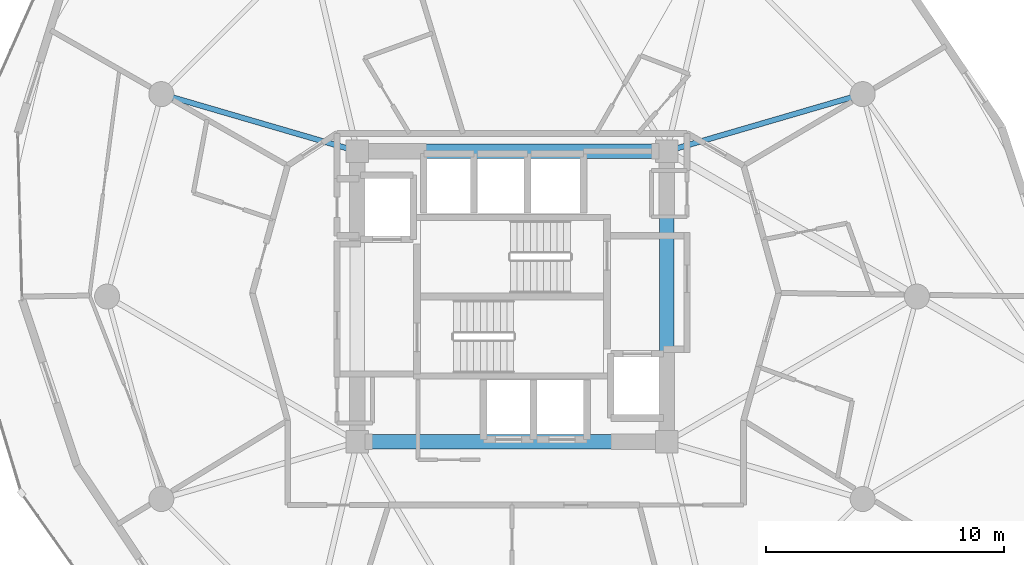
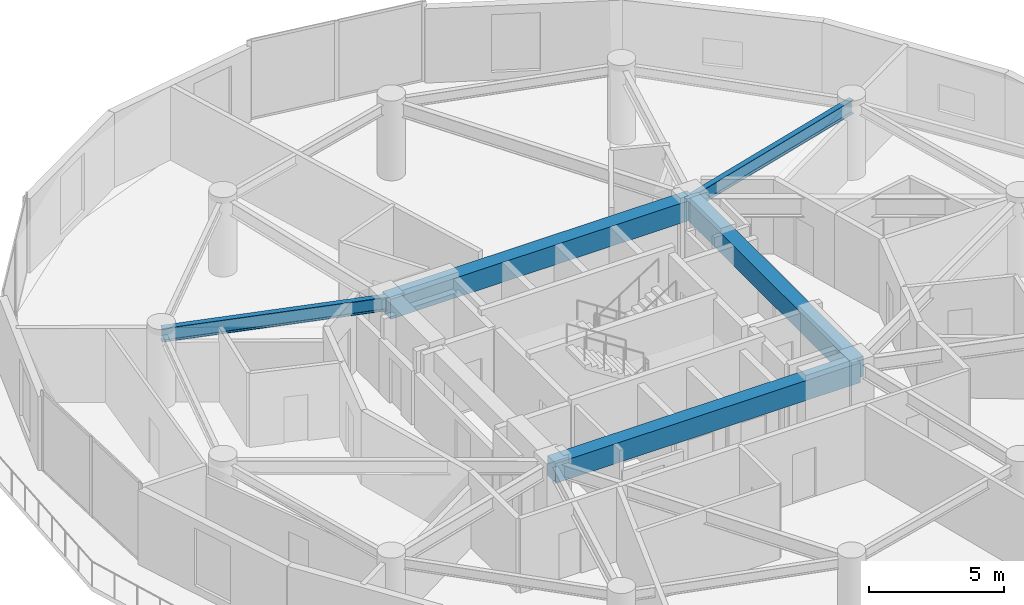
# One storey, part 7 of 20: 5 beams.
"""IFC4 building model written with IfcOpenShell, lengths in metres."""

from ifc_helpers import new_model, si_unit, direction, frame, origin, origin_2d, place, context, subcontext, project, spatial, rectangle, i_section, extrude, material, material_profile, profile_set, type_object, element, save


model = new_model("IFC4")

# Units and contexts
model_context = context("Model", 3, precision=1e-05, world=origin(), true_north=direction((0.0, 1.0)))
body_context = subcontext(model_context, "Body", "Model", "MODEL_VIEW")
ifc_project = project(units=[si_unit("LENGTHUNIT", "METRE"), si_unit("AREAUNIT", "SQUARE_METRE"), si_unit("VOLUMEUNIT", "CUBIC_METRE"), si_unit("PLANEANGLEUNIT", "RADIAN"), si_unit("MASSUNIT", "GRAM", prefix="KILO")], contexts=[model_context])

# Site, building, storey
site_placement = place(None, origin())
site = spatial("IfcSite", under=ifc_project, at=site_placement, CompositionType="ELEMENT")
building_placement = place(site_placement, origin())
building = spatial("IfcBuilding", under=site, at=building_placement, Name="Solvirekh Grand Hotel", CompositionType="ELEMENT")
storey_placement = place(building_placement, frame((0.0, 0.0, 156.60009765625)))
storey = spatial("IfcBuildingStorey", under=building, at=storey_placement, Name="L40", CompositionType="ELEMENT", Elevation=156.60009765625)

# Beams
ifc_material_1 = material(Name="Concrete C50/60", Category="concrete")
ifc_material_profile_1 = material_profile(ifc_material_1, rectangle(XDim=0.60009765625, YDim=0.89990234375, at=origin_2d()), Name="RC BEAM 600X900")
ifc_profile_set_1 = profile_set([ifc_material_profile_1], Name="Concrete C50/60")
beam_type_1 = type_object("IfcBeamType", Name="Beam_Core_RC900", PredefinedType="BEAM", material=ifc_profile_set_1)
beam_1_placement = place(storey_placement, frame((-6.5, -6.10009765625, 2.89990234375), z_axis=(1.0, 0.0, 0.0), x_axis=(0.0, 1.0, 0.0)))
element("IfcBeam", 1, at=beam_1_placement, inside=storey, type_object=beam_type_1, Name="L40 core coupling ring beam 1", PredefinedType="BEAM", context=body_context, shape_type="SweptSolid", body=[
    extrude(rectangle(XDim=0.60009765625, YDim=0.89990234375, at=origin_2d()), origin(), (0.0, 0.0, 1.0), 13.0),
])
beam_2_placement = place(storey_placement, frame((6.5, -6.10009765625, 2.89990234375), z_axis=(0.0, 1.0, 0.0), x_axis=(-1.0, 0.0, 0.0)))
element("IfcBeam", 2, at=beam_2_placement, inside=storey, type_object=beam_type_1, Name="L40 core coupling ring beam 2", PredefinedType="BEAM", context=body_context, shape_type="SweptSolid", body=[
    extrude(rectangle(XDim=0.60009765625, YDim=0.89990234375, at=origin_2d()), origin(), (0.0, 0.0, 1.0), 12.2001953125),
])
beam_3_placement = place(storey_placement, frame((6.5, 6.10009765625, 2.89990234375), z_axis=(-1.0, 0.0, 0.0), x_axis=(0.0, -1.0, 0.0)))
element("IfcBeam", 3, at=beam_3_placement, inside=storey, type_object=beam_type_1, Name="L40 core coupling ring beam 3", PredefinedType="BEAM", context=body_context, shape_type="SweptSolid", body=[
    extrude(rectangle(XDim=0.60009765625, YDim=0.89990234375, at=origin_2d()), origin(), (0.0, 0.0, 1.0), 13.0),
])
ifc_material_2 = material(Name="Steel S355", Category="steel")
ifc_material_profile_2 = material_profile(ifc_material_2, i_section(OverallWidth=0.22802734375, OverallDepth=0.616943359375, WebThickness=0.012939453125, FlangeThickness=0.02001953125, FilletRadius=0.014892578125, at=origin_2d()), Name="W610X140")
ifc_profile_set_2 = profile_set([ifc_material_profile_2], Name="Steel S355")
beam_type_2 = type_object("IfcBeamType", Name="Beam_Radial_W610", PredefinedType="BEAM", material=ifc_profile_set_2)
for number, where, z_axis, x_axis, name in (
    (4, (6.5, 6.10009765625, 3.041015625), (0.959942195467, 0.28019811092, 0.0), (-0.28019811092, 0.959942195467, 0.0), "L40 radial floor beam R02"),
    (5, (-6.5, 6.10009765625, 3.041015625), (-0.959942195467, 0.28019811092, 0.0), (-0.28019811092, -0.959942195467, 0.0), "L40 radial floor beam R06"),
):
    element("IfcBeam", number, at=place(storey_placement, frame(where, z_axis=z_axis, x_axis=x_axis)), inside=storey, type_object=beam_type_2, Name=name, PredefinedType="BEAM", context=body_context, shape_type="SweptSolid", body=[
        extrude(i_section(OverallWidth=0.22802734375, OverallDepth=0.616943359375, WebThickness=0.012939453125, FlangeThickness=0.02001953125, FilletRadius=0.014892578125, at=origin_2d()), origin(), (0.0, 0.0, 1.0), 8.56494140625),
    ])

save(model, "model.ifc")
